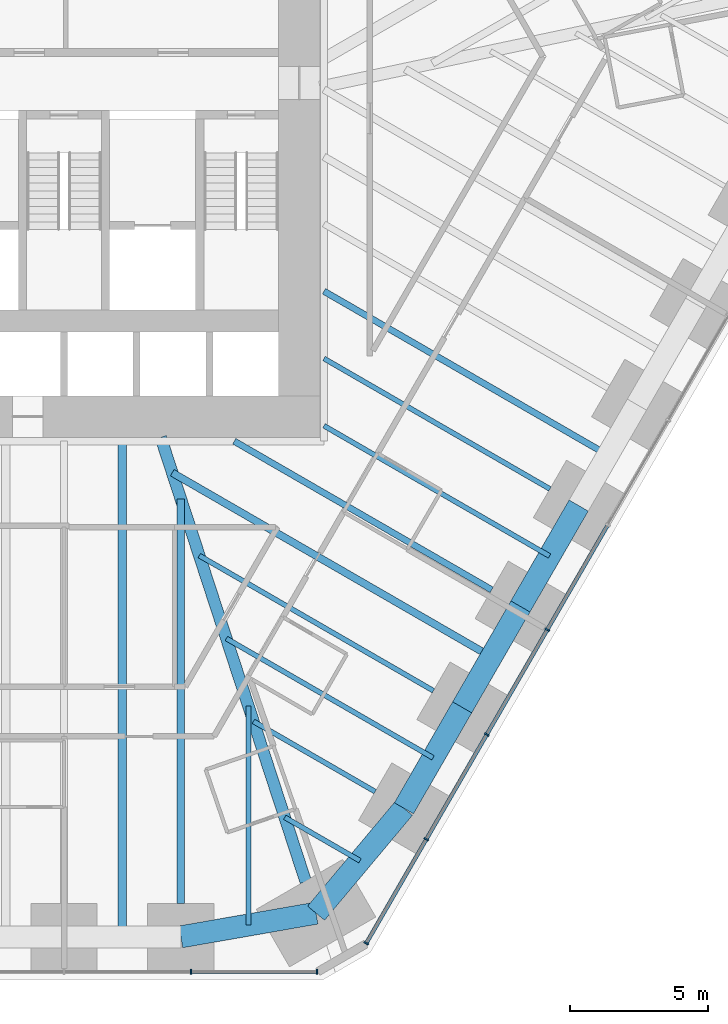
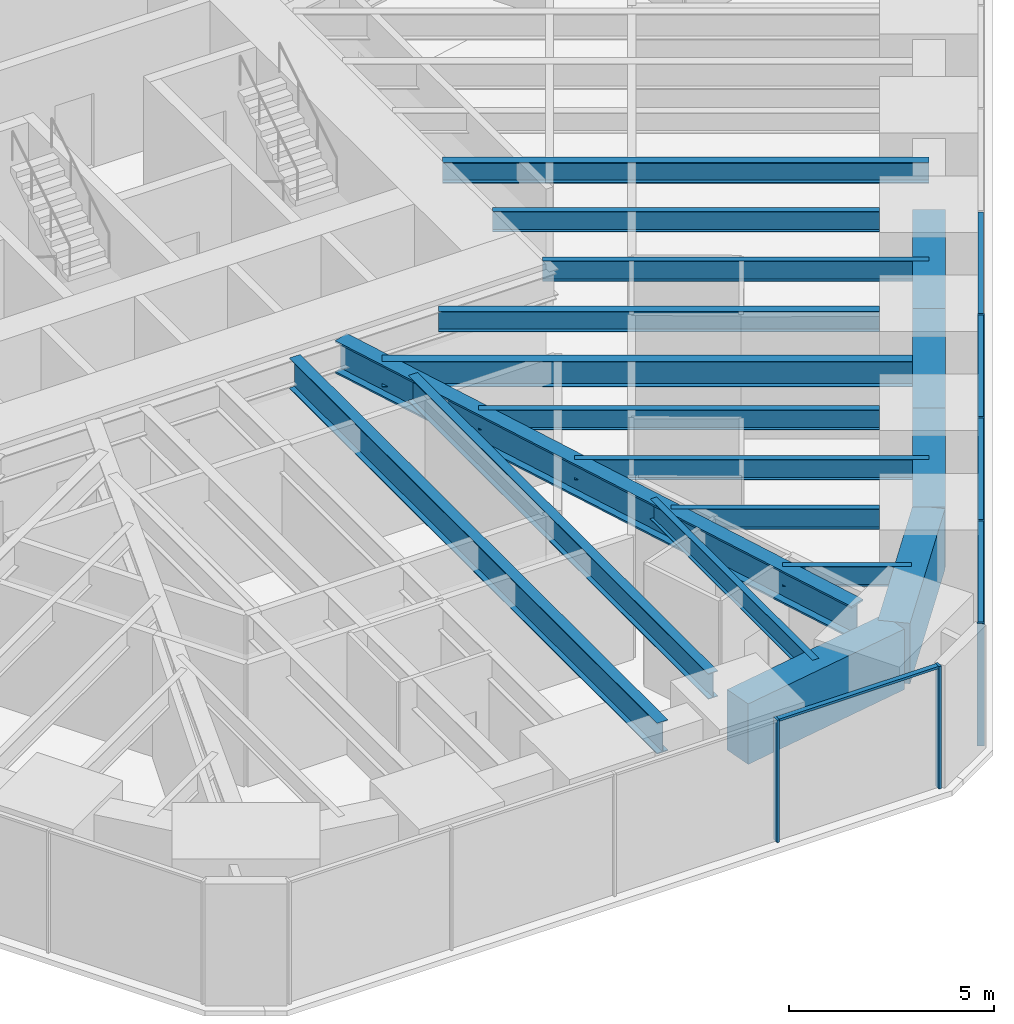
# One storey, part 5 of 17: 18 beams, 11 members, 2 elements without a shape of their own.
"""IFC4 building model written with IfcOpenShell, lengths in metres."""

from ifc_helpers import new_model, si_unit, direction, frame, origin, origin_2d, place, context, subcontext, project, spatial, rectangle, i_section, extrude, material, material_profile, profile_set, type_object, element, aggregate, save


model = new_model("IFC4")

# Units and contexts
model_context = context("Model", 3, precision=1e-05, world=origin(), true_north=direction((0.0, 1.0)))
body_context = subcontext(model_context, "Body", "Model", "MODEL_VIEW")
ifc_project = project(units=[si_unit("LENGTHUNIT", "METRE"), si_unit("AREAUNIT", "SQUARE_METRE"), si_unit("VOLUMEUNIT", "CUBIC_METRE"), si_unit("PLANEANGLEUNIT", "RADIAN"), si_unit("MASSUNIT", "GRAM", prefix="KILO")], contexts=[model_context])

# Site, building, storey
site_placement = place(None, origin())
site = spatial("IfcSite", under=ifc_project, at=site_placement, CompositionType="ELEMENT")
building_placement = place(site_placement, origin())
building = spatial("IfcBuilding", under=site, at=building_placement, Name="Sandreach Pilgrim Tower", CompositionType="ELEMENT")
storey_placement = place(building_placement, frame((0.0, 0.0, 42.0)))
storey = spatial("IfcBuildingStorey", under=building, at=storey_placement, Name="L09", CompositionType="ELEMENT", Elevation=42.0)

# Curtain wall, members
ifc_material_1 = material(Name="Aluminium framed curtain wall", Category="aluminium")
curtain_wall_type = type_object("IfcCurtainWallType", Name="Hostel tower curtain wall", PredefinedType="NOTDEFINED", material=ifc_material_1)
curtain_wall_1_placement = place(storey_placement, origin())
curtain_wall_1 = element("IfcCurtainWall", 1, at=curtain_wall_1_placement, inside=storey, type_object=curtain_wall_type, Name="CW-1 L09 SE", PredefinedType="NOTDEFINED")
ifc_material_2 = material(Name="Aluminium extrusion", Category="aluminium")
ifc_material_profile_1 = material_profile(ifc_material_2, rectangle(XDim=0.06494140625, YDim=0.179931640625, at=origin_2d()), Name="CW-1M 65X180")
ifc_profile_set_1 = profile_set([ifc_material_profile_1], Name="Aluminium extrusion")
member_type_1 = type_object("IfcMemberType", Name="CW-1 mullion", PredefinedType="MULLION", material=ifc_profile_set_1)
member_1_placement = place(storey_placement, frame((17.46142578125, -17.6533203125, 0.0), z_axis=(0.0, 0.0, 1.0), x_axis=(-0.5, -0.866025403784, 0.0)))
member_1 = element("IfcMember", 2, at=member_1_placement, type_object=member_type_1, Name="CW-1 mullion 7", PredefinedType="MULLION", context=body_context, shape_type="SweptSolid", body=[
    extrude(rectangle(XDim=0.06494140625, YDim=0.179931640625, at=origin_2d()), origin(), (0.0, 0.0, 1.0), 3.639892578125),
])
member_2_placement = place(storey_placement, frame((15.275634765625, -21.439208984375, 0.0), z_axis=(0.0, 0.0, 1.0), x_axis=(-0.5, -0.866025403784, 0.0)))
member_2 = element("IfcMember", 3, at=member_2_placement, type_object=member_type_1, Name="CW-1 mullion 8", PredefinedType="MULLION", context=body_context, shape_type="SweptSolid", body=[
    extrude(rectangle(XDim=0.06494140625, YDim=0.179931640625, at=origin_2d()), origin(), (0.0, 0.0, 1.0), 3.639892578125),
])
member_3_placement = place(storey_placement, frame((13.08984375, -25.22509765625, 0.0), z_axis=(0.0, 0.0, 1.0), x_axis=(-0.5, -0.866025403784, 0.0)))
member_3 = element("IfcMember", 4, at=member_3_placement, type_object=member_type_1, Name="CW-1 mullion 9", PredefinedType="MULLION", context=body_context, shape_type="SweptSolid", body=[
    extrude(rectangle(XDim=0.06494140625, YDim=0.179931640625, at=origin_2d()), origin(), (0.0, 0.0, 1.0), 3.639892578125),
])
member_4_placement = place(storey_placement, frame((10.92041015625, -28.982666015625, 0.0), z_axis=(0.0, 0.0, 1.0), x_axis=(-0.5, -0.866025403784, 0.0)))
member_4 = element("IfcMember", 5, at=member_4_placement, type_object=member_type_1, Name="CW-1 mullion 10", PredefinedType="MULLION", context=body_context, shape_type="SweptSolid", body=[
    extrude(rectangle(XDim=0.06494140625, YDim=0.179931640625, at=origin_2d()), origin(), (0.0, 0.0, 1.0), 3.639892578125),
])

curtain_wall_2_placement = place(storey_placement, origin())
curtain_wall_2 = element("IfcCurtainWall", 6, at=curtain_wall_2_placement, inside=storey, type_object=curtain_wall_type, Name="CW-1 L09 S", PredefinedType="NOTDEFINED")
member_5_placement = place(storey_placement, frame((9.1396484375, -30.010986328125, 0.0), z_axis=(0.0, 0.0, 1.0), x_axis=(-1.0, 0.0, 0.0)))
member_5 = element("IfcMember", 7, at=member_5_placement, type_object=member_type_1, Name="CW-1 mullion 1", PredefinedType="MULLION", context=body_context, shape_type="SweptSolid", body=[
    extrude(rectangle(XDim=0.06494140625, YDim=0.179931640625, at=origin_2d()), origin(), (0.0, 0.0, 1.0), 3.639892578125),
])
member_6_placement = place(storey_placement, frame((4.5859375, -30.010986328125, 0.0), z_axis=(0.0, 0.0, 1.0), x_axis=(-1.0, 0.0, 0.0)))
member_6 = element("IfcMember", 8, at=member_6_placement, type_object=member_type_1, Name="CW-1 mullion 2", PredefinedType="MULLION", context=body_context, shape_type="SweptSolid", body=[
    extrude(rectangle(XDim=0.06494140625, YDim=0.179931640625, at=origin_2d()), origin(), (0.0, 0.0, 1.0), 3.639892578125),
])

# Member
ifc_material_3 = material(Name="Aluminium extrusion", Category="aluminium")
ifc_material_profile_2 = material_profile(ifc_material_3, rectangle(XDim=0.139892578125, YDim=0.070068359375, at=origin_2d()), Name="CW-1T 140X70")
ifc_profile_set_2 = profile_set([ifc_material_profile_2], Name="Aluminium extrusion")
member_type_2 = type_object("IfcMemberType", Name="CW-1 transom", PredefinedType="USERDEFINED", material=ifc_profile_set_2)
member_7_placement = place(storey_placement, frame((19.631103515625, -13.8955078125, 3.60498046875), z_axis=(-0.500016891966, -0.866015650984, 0.0), x_axis=(0.866015650984, -0.500016891966, 0.0)))
member_7 = element("IfcMember", 9, at=member_7_placement, type_object=member_type_2, Name="CW-1 head transom 6", ObjectType="TRANSOM", PredefinedType="USERDEFINED", context=body_context, shape_type="SweptSolid", body=[
    extrude(rectangle(XDim=0.139892578125, YDim=0.070068359375, at=origin_2d()), origin(), (0.0, 0.0, 1.0), 4.306396484375),
])

member_8_placement = place(storey_placement, frame((17.4453125, -17.681396484375, 3.60498046875), z_axis=(-0.500016891966, -0.866015650984, 0.0), x_axis=(0.866015650984, -0.500016891966, 0.0)))
member_8 = element("IfcMember", 10, at=member_8_placement, type_object=member_type_2, Name="CW-1 head transom 7", ObjectType="TRANSOM", PredefinedType="USERDEFINED", context=body_context, shape_type="SweptSolid", body=[
    extrude(rectangle(XDim=0.139892578125, YDim=0.070068359375, at=origin_2d()), origin(), (0.0, 0.0, 1.0), 4.306396484375),
])

member_9_placement = place(storey_placement, frame((15.259521484375, -21.46728515625, 3.60498046875), z_axis=(-0.500016891966, -0.866015650984, 0.0), x_axis=(0.866015650984, -0.500016891966, 0.0)))
member_9 = element("IfcMember", 11, at=member_9_placement, type_object=member_type_2, Name="CW-1 head transom 8", ObjectType="TRANSOM", PredefinedType="USERDEFINED", context=body_context, shape_type="SweptSolid", body=[
    extrude(rectangle(XDim=0.139892578125, YDim=0.070068359375, at=origin_2d()), origin(), (0.0, 0.0, 1.0), 4.306396484375),
])

member_10_placement = place(storey_placement, frame((13.07373046875, -25.253173828125, 3.60498046875), z_axis=(-0.500033953635, -0.866005799756, 0.0), x_axis=(0.866005799756, -0.500033953635, 0.0)))
member_10 = element("IfcMember", 12, at=member_10_placement, type_object=member_type_2, Name="CW-1 head transom 9", ObjectType="TRANSOM", PredefinedType="USERDEFINED", context=body_context, shape_type="SweptSolid", body=[
    extrude(rectangle(XDim=0.139892578125, YDim=0.070068359375, at=origin_2d()), origin(), (0.0, 0.0, 1.0), 4.274169921875),
])

aggregate(curtain_wall_1, [member_1, member_2, member_3, member_4, member_7, member_8, member_9, member_10])

member_11_placement = place(storey_placement, frame((9.107177734375, -30.010986328125, 3.60498046875), z_axis=(-1.0, 0.0, 0.0), x_axis=(0.0, -1.0, 0.0)))
member_11 = element("IfcMember", 13, at=member_11_placement, type_object=member_type_2, Name="CW-1 head transom 1", ObjectType="TRANSOM", PredefinedType="USERDEFINED", context=body_context, shape_type="SweptSolid", body=[
    extrude(rectangle(XDim=0.139892578125, YDim=0.070068359375, at=origin_2d()), origin(), (0.0, 0.0, 1.0), 4.488525390625),
])

aggregate(curtain_wall_2, [member_5, member_6, member_11])

# Beams
ifc_material_4 = material(Name="Steel ASTM A992 Grade 50", Category="steel")
ifc_material_profile_3 = material_profile(ifc_material_4, i_section(OverallWidth=0.424072265625, OverallDepth=0.965087890625, WebThickness=0.028564453125, FlangeThickness=0.051025390625, at=origin_2d()), Name="W36X361")
ifc_profile_set_3 = profile_set([ifc_material_profile_3], Name="Steel ASTM A992 Grade 50")
beam_type_1 = type_object("IfcBeamType", Name="Corner girder W36X361", PredefinedType="BEAM", material=ifc_profile_set_3)
beam_1_placement = place(storey_placement, frame((8.73388671875, -26.756103515625, 3.157470703125), z_axis=(-0.310315410754, 0.950633654911, 0.0), x_axis=(-0.950633654911, -0.310315410754, 0.0)))
element("IfcBeam", 14, at=beam_1_placement, inside=storey, type_object=beam_type_1, Name="BM L09 CG22", PredefinedType="BEAM", context=body_context, shape_type="SweptSolid", body=[
    extrude(i_section(OverallWidth=0.424072265625, OverallDepth=0.965087890625, WebThickness=0.028564453125, FlangeThickness=0.051025390625, at=origin_2d()), origin(), (0.0, 0.0, 1.0), 16.889892578125),
])
ifc_material_5 = material(Name="Steel ASTM A992 Grade 50", Category="steel")
ifc_material_profile_4 = material_profile(ifc_material_5, i_section(OverallWidth=0.1787109375, OverallDepth=0.60205078125, WebThickness=0.010986328125, FlangeThickness=0.014892578125, at=origin_2d()), Name="W24X62")
ifc_profile_set_4 = profile_set([ifc_material_profile_4], Name="Steel ASTM A992 Grade 50")
beam_type_2 = type_object("IfcBeamType", Name="Floor beam W24X62", PredefinedType="BEAM", material=ifc_profile_set_4)
beam_2_placement = place(storey_placement, frame((17.557373046875, -12.5673828125, 3.339111328125), z_axis=(-0.866020839647, 0.500007905235, 0.0), x_axis=(-0.500007905235, -0.866020839647, 0.0)))
element("IfcBeam", 15, at=beam_2_placement, inside=storey, type_object=beam_type_2, Name="BM L09 F18", PredefinedType="BEAM", context=body_context, shape_type="SweptSolid", body=[
    extrude(i_section(OverallWidth=0.1787109375, OverallDepth=0.60205078125, WebThickness=0.010986328125, FlangeThickness=0.014892578125, at=origin_2d()), origin(), (0.0, 0.0, 1.0), 9.427001953125),
])
beam_3_placement = place(storey_placement, frame((13.347412109375, -19.859130859375, 3.339111328125), z_axis=(-0.866025751498, 0.499999397742, 0.0), x_axis=(-0.499999397742, -0.866025751498, 0.0)))
element("IfcBeam", 16, at=beam_3_placement, inside=storey, type_object=beam_type_2, Name="BM L09 F20", PredefinedType="BEAM", context=body_context, shape_type="SweptSolid", body=[
    extrude(i_section(OverallWidth=0.1787109375, OverallDepth=0.60205078125, WebThickness=0.010986328125, FlangeThickness=0.014892578125, at=origin_2d()), origin(), (0.0, 0.0, 1.0), 9.767578125),
])
beam_4_placement = place(storey_placement, frame((11.242431640625, -23.5048828125, 3.339111328125), z_axis=(-0.866027897259, 0.49999568115, 0.0), x_axis=(-0.49999568115, -0.866027897259, 0.0)))
element("IfcBeam", 17, at=beam_4_placement, inside=storey, type_object=beam_type_2, Name="BM L09 F21", PredefinedType="BEAM", context=body_context, shape_type="SweptSolid", body=[
    extrude(i_section(OverallWidth=0.1787109375, OverallDepth=0.60205078125, WebThickness=0.010986328125, FlangeThickness=0.014892578125, at=origin_2d()), origin(), (0.0, 0.0, 1.0), 5.0791015625),
])
beam_5_placement = place(storey_placement, frame((17.5439453125, -14.990234375, 3.339111328125), z_axis=(-0.86602359238, 0.500003137431, 0.0), x_axis=(-0.500003137431, -0.86602359238, 0.0)))
element("IfcBeam", 18, at=beam_5_placement, inside=storey, type_object=beam_type_2, Name="BM L09 FM18", PredefinedType="BEAM", context=body_context, shape_type="SweptSolid", body=[
    extrude(i_section(OverallWidth=0.1787109375, OverallDepth=0.60205078125, WebThickness=0.010986328125, FlangeThickness=0.014892578125, at=origin_2d()), origin(), (0.0, 0.0, 1.0), 9.41162109375),
])
beam_6_placement = place(storey_placement, frame((13.334228515625, -22.281982421875, 3.339111328125), z_axis=(-0.86602717807, 0.499996926835, 0.0), x_axis=(-0.499996926835, -0.86602717807, 0.0)))
element("IfcBeam", 19, at=beam_6_placement, inside=storey, type_object=beam_type_2, Name="BM L09 FM20", PredefinedType="BEAM", context=body_context, shape_type="SweptSolid", body=[
    extrude(i_section(OverallWidth=0.1787109375, OverallDepth=0.60205078125, WebThickness=0.010986328125, FlangeThickness=0.014892578125, at=origin_2d()), origin(), (0.0, 0.0, 1.0), 8.62353515625),
])
beam_7_placement = place(storey_placement, frame((10.694091796875, -26.0009765625, 3.339111328125), z_axis=(-0.866023718453, 0.500002919068, 0.0), x_axis=(-0.500002919068, -0.866023718453, 0.0)))
element("IfcBeam", 20, at=beam_7_placement, inside=storey, type_object=beam_type_2, Name="BM L09 FM21", PredefinedType="BEAM", context=body_context, shape_type="SweptSolid", body=[
    extrude(i_section(OverallWidth=0.1787109375, OverallDepth=0.60205078125, WebThickness=0.010986328125, FlangeThickness=0.014892578125, at=origin_2d()), origin(), (0.0, 0.0, 1.0), 3.1396484375),
])
beam_8_placement = place(storey_placement, frame((6.664306640625, -28.323974609375, 3.339111328125), z_axis=(0.0, 1.0, 0.0), x_axis=(-1.0, 0.0, 0.0)))
element("IfcBeam", 21, at=beam_8_placement, inside=storey, type_object=beam_type_2, Name="BM L09 FM22", PredefinedType="BEAM", context=body_context, shape_type="SweptSolid", body=[
    extrude(i_section(OverallWidth=0.1787109375, OverallDepth=0.60205078125, WebThickness=0.010986328125, FlangeThickness=0.014892578125, at=origin_2d()), origin(), (0.0, 0.0, 1.0), 7.907958984375),
])
ifc_material_6 = material(Name="Steel ASTM A992 Grade 50", Category="steel")
ifc_material_profile_5 = material_profile(ifc_material_6, i_section(OverallWidth=0.23046875, OverallDepth=0.6171875, WebThickness=0.01318359375, FlangeThickness=0.022216796875, at=origin_2d()), Name="W24X94")
ifc_profile_set_5 = profile_set([ifc_material_profile_5], Name="Steel ASTM A992 Grade 50")
beam_type_3 = type_object("IfcBeamType", Name="Floor beam W24X94", PredefinedType="BEAM", material=ifc_profile_set_5)
beam_9_placement = place(storey_placement, frame((15.452392578125, -16.213134765625, 3.331298828125), z_axis=(-0.866028486751, 0.499994660107, 0.0), x_axis=(-0.499994660107, -0.866028486751, 0.0)))
element("IfcBeam", 22, at=beam_9_placement, inside=storey, type_object=beam_type_3, Name="BM L09 F19", PredefinedType="BEAM", context=body_context, shape_type="SweptSolid", body=[
    extrude(i_section(OverallWidth=0.23046875, OverallDepth=0.6171875, WebThickness=0.01318359375, FlangeThickness=0.022216796875, at=origin_2d()), origin(), (0.0, 0.0, 1.0), 10.73974609375),
])
beam_10_placement = place(storey_placement, frame((19.64892578125, -11.34423828125, 3.331298828125), z_axis=(-0.866032123691, 0.4999883606, 0.0), x_axis=(-0.4999883606, -0.866032123691, 0.0)))
element("IfcBeam", 23, at=beam_10_placement, inside=storey, type_object=beam_type_3, Name="BM L09 FM17", PredefinedType="BEAM", context=body_context, shape_type="SweptSolid", body=[
    extrude(i_section(OverallWidth=0.23046875, OverallDepth=0.6171875, WebThickness=0.01318359375, FlangeThickness=0.022216796875, at=origin_2d()), origin(), (0.0, 0.0, 1.0), 11.842041015625),
])
ifc_material_7 = material(Name="Steel ASTM A992 Grade 50", Category="steel")
ifc_material_profile_6 = material_profile(ifc_material_7, i_section(OverallWidth=0.2666015625, OverallDepth=0.761962890625, WebThickness=0.014404296875, FlangeThickness=0.021484375, at=origin_2d()), Name="W30X116")
ifc_profile_set_6 = profile_set([ifc_material_profile_6], Name="Steel ASTM A992 Grade 50")
beam_type_4 = type_object("IfcBeamType", Name="Floor beam W30X116", PredefinedType="BEAM", material=ifc_profile_set_6)
beam_11_placement = place(storey_placement, frame((4.222412109375, -27.55078125, 3.259033203125), z_axis=(0.0, 1.0, 0.0), x_axis=(-1.0, 0.0, 0.0)))
element("IfcBeam", 24, at=beam_11_placement, inside=storey, type_object=beam_type_4, Name="BM L09 F23", PredefinedType="BEAM", context=body_context, shape_type="SweptSolid", body=[
    extrude(i_section(OverallWidth=0.2666015625, OverallDepth=0.761962890625, WebThickness=0.014404296875, FlangeThickness=0.021484375, at=origin_2d()), origin(), (0.0, 0.0, 1.0), 14.61572265625),
])
beam_12_placement = place(storey_placement, frame((15.43896484375, -18.63623046875, 3.259033203125), z_axis=(-0.866021271874, 0.50000715661, 0.0), x_axis=(-0.50000715661, -0.866021271874, 0.0)))
element("IfcBeam", 25, at=beam_12_placement, inside=storey, type_object=beam_type_4, Name="BM L09 FM19", PredefinedType="BEAM", context=body_context, shape_type="SweptSolid", body=[
    extrude(i_section(OverallWidth=0.2666015625, OverallDepth=0.761962890625, WebThickness=0.014404296875, FlangeThickness=0.021484375, at=origin_2d()), origin(), (0.0, 0.0, 1.0), 13.311767578125),
])
ifc_material_8 = material(Name="Steel ASTM A992 Grade 50", Category="steel")
ifc_material_profile_7 = material_profile(ifc_material_8, i_section(OverallWidth=0.3046875, OverallDepth=0.914306640625, WebThickness=0.0166015625, FlangeThickness=0.02587890625, at=origin_2d()), Name="W36X160")
ifc_profile_set_7 = profile_set([ifc_material_profile_7], Name="Steel ASTM A992 Grade 50")
beam_type_5 = type_object("IfcBeamType", Name="Floor beam W36X160", PredefinedType="BEAM", material=ifc_profile_set_7)
beam_13_placement = place(storey_placement, frame((2.111083984375, -28.7509765625, 3.182861328125), z_axis=(0.0, 1.0, 0.0), x_axis=(-1.0, 0.0, 0.0)))
element("IfcBeam", 26, at=beam_13_placement, inside=storey, type_object=beam_type_5, Name="BM L09 FM23", PredefinedType="BEAM", context=body_context, shape_type="SweptSolid", body=[
    extrude(i_section(OverallWidth=0.3046875, OverallDepth=0.914306640625, WebThickness=0.0166015625, FlangeThickness=0.02587890625, at=origin_2d()), origin(), (0.0, 0.0, 1.0), 17.90771484375),
])
ifc_material_9 = material(Name="Concrete 10000 psi", Category="concrete")
ifc_material_profile_8 = material_profile(ifc_material_9, rectangle(XDim=0.800048828125, YDim=1.800048828125, at=origin_2d()), Name="RC800X1800")
ifc_profile_set_8 = profile_set([ifc_material_profile_8], Name="Concrete 10000 psi")
beam_type_6 = type_object("IfcBeamType", Name="Spandrel beam RC800X1800", PredefinedType="SPANDREL", material=ifc_profile_set_8)
beam_14_placement = place(storey_placement, frame((18.596435546875, -13.167236328125, 2.739990234375), z_axis=(-0.499993523031, -0.866029143232, 0.0), x_axis=(0.866029143232, -0.499993523031, 0.0)))
element("IfcBeam", 27, at=beam_14_placement, inside=storey, type_object=beam_type_6, Name="BM L09 SP18", PredefinedType="SPANDREL", context=body_context, shape_type="SweptSolid", body=[
    extrude(rectangle(XDim=0.800048828125, YDim=1.800048828125, at=origin_2d()), origin(), (0.0, 0.0, 1.0), 4.2099609375),
])
beam_15_placement = place(storey_placement, frame((16.491455078125, -16.813232421875, 2.739990234375), z_axis=(-0.499975138639, -0.866039757022, 0.0), x_axis=(0.866039757022, -0.499975138639, 0.0)))
element("IfcBeam", 28, at=beam_15_placement, inside=storey, type_object=beam_type_6, Name="BM L09 SP19", PredefinedType="SPANDREL", context=body_context, shape_type="SweptSolid", body=[
    extrude(rectangle(XDim=0.800048828125, YDim=1.800048828125, at=origin_2d()), origin(), (0.0, 0.0, 1.0), 4.209716796875),
])
beam_16_placement = place(storey_placement, frame((14.38671875, -20.458984375, 2.739990234375), z_axis=(-0.499993523031, -0.866029143232, 0.0), x_axis=(0.866029143232, -0.499993523031, 0.0)))
element("IfcBeam", 29, at=beam_16_placement, inside=storey, type_object=beam_type_6, Name="BM L09 SP20", PredefinedType="SPANDREL", context=body_context, shape_type="SweptSolid", body=[
    extrude(rectangle(XDim=0.800048828125, YDim=1.800048828125, at=origin_2d()), origin(), (0.0, 0.0, 1.0), 4.2099609375),
])
beam_17_placement = place(storey_placement, frame((12.28173828125, -24.10498046875, 2.739990234375), z_axis=(-0.642008193922, -0.766697775488, 0.0), x_axis=(0.766697775488, -0.642008193922, 0.0)))
element("IfcBeam", 30, at=beam_17_placement, inside=storey, type_object=beam_type_6, Name="BM L09 SP21", PredefinedType="SPANDREL", context=body_context, shape_type="SweptSolid", body=[
    extrude(rectangle(XDim=0.800048828125, YDim=1.800048828125, at=origin_2d()), origin(), (0.0, 0.0, 1.0), 4.94580078125),
])
beam_18_placement = place(storey_placement, frame((9.1064453125, -27.89697265625, 2.739990234375), z_axis=(-0.985054495501, -0.17224297052, 0.0), x_axis=(0.17224297052, -0.985054495501, 0.0)))
element("IfcBeam", 31, at=beam_18_placement, inside=storey, type_object=beam_type_6, Name="BM L09 SP22", PredefinedType="SPANDREL", context=body_context, shape_type="SweptSolid", body=[
    extrude(rectangle(XDim=0.800048828125, YDim=1.800048828125, at=origin_2d()), origin(), (0.0, 0.0, 1.0), 4.958251953125),
])

save(model, "model.ifc")
